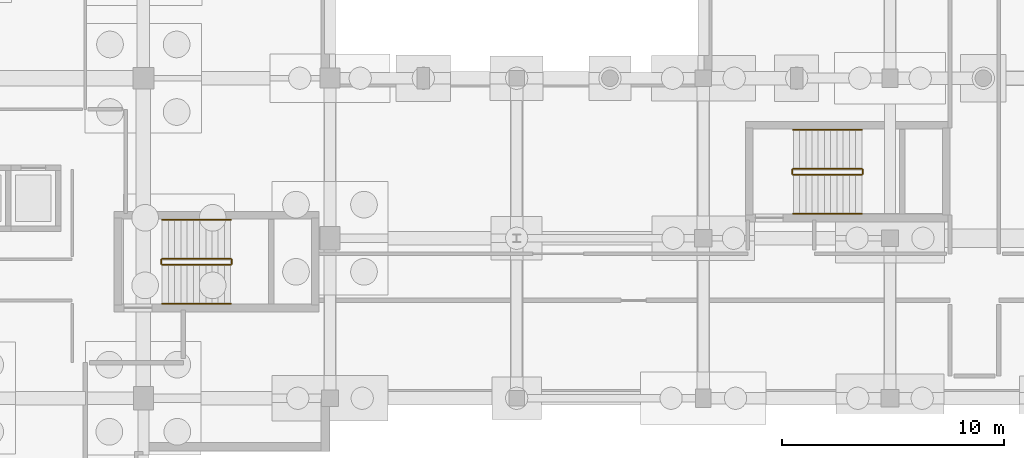
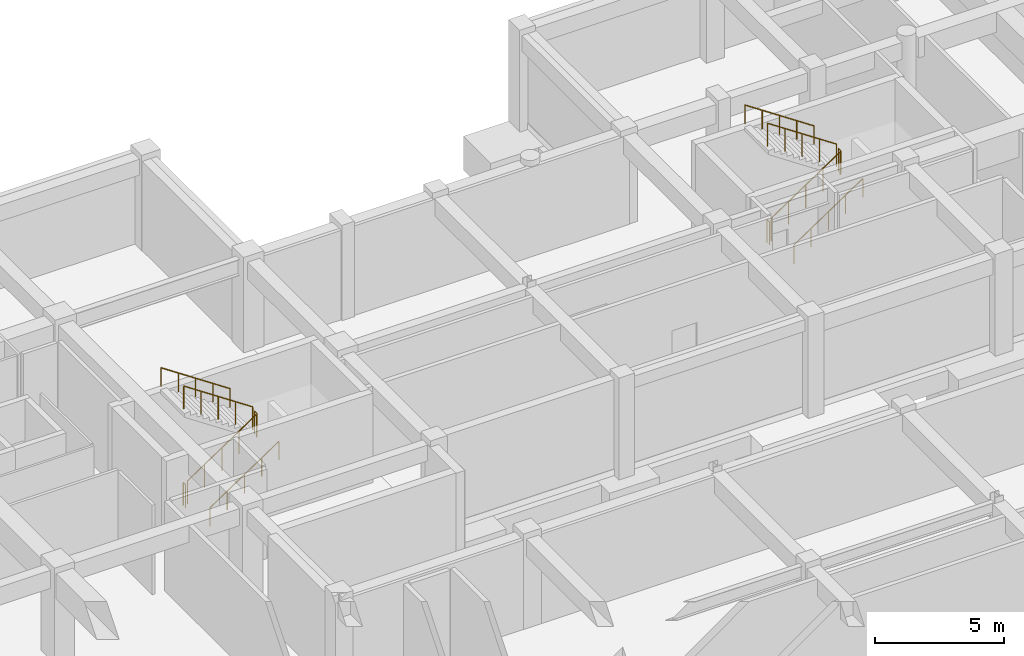
# One storey, part 41 of 42: 12 railings.
"""IFC4 building model written with IfcOpenShell, lengths in metres."""

from ifc_helpers import new_model, si_unit, direction, frame, origin, origin_2d, place, context, subcontext, project, spatial, circle, extrude, material, type_object, element, save


model = new_model("IFC4")

# Units and contexts
model_context = context("Model", 3, precision=1e-05, world=origin(), true_north=direction((0.0, 1.0)))
body_context = subcontext(model_context, "Body", "Model", "MODEL_VIEW")
ifc_project = project(units=[si_unit("LENGTHUNIT", "METRE"), si_unit("AREAUNIT", "SQUARE_METRE"), si_unit("VOLUMEUNIT", "CUBIC_METRE"), si_unit("PLANEANGLEUNIT", "RADIAN"), si_unit("MASSUNIT", "GRAM", prefix="KILO")], contexts=[model_context])

# Site, building, storey
site_placement = place(None, origin())
site = spatial("IfcSite", under=ifc_project, at=site_placement, CompositionType="ELEMENT")
building_placement = place(site_placement, origin())
building = spatial("IfcBuilding", under=site, at=building_placement, Name="Quendrovan Civic Courthouse", CompositionType="ELEMENT")
storey_placement = place(building_placement, frame((0.0, 0.0, -4.5)))
storey = spatial("IfcBuildingStorey", under=building, at=storey_placement, Name="B1", CompositionType="ELEMENT", Elevation=-4.5)

# Railings
ifc_material_1 = material(Name="Painted galvanized steel", Category="steel")
railing_type_1 = type_object("IfcRailingType", Name="RL-STR-GUARD1100", PredefinedType="GUARDRAIL", material=ifc_material_1)
railing_1_placement = place(storey_placement, frame((84.85009765625, 93.60009765625, 0.1875)))
element("IfcRailing", 1, at=railing_1_placement, inside=storey, type_object=railing_type_1, Name="B1 ST3 stair guard 1", PredefinedType="GUARDRAIL", context=body_context, shape_type="SweptSolid", body=[
    extrude(circle(Radius=0.02392578125, at=origin_2d()), frame((0.0, 0.0, 1.076171875), z_axis=(0.830893310487, 0.0, 0.556431762742), x_axis=(0.0, 1.0, 0.0)), (0.0, 0.0, 1.0), 3.70654296875),
    extrude(circle(Radius=0.02099609375, at=origin_2d()), origin(), (0.0, 0.0, 1.0), 1.052001953125),
    extrude(circle(Radius=0.02099609375, at=origin_2d()), frame((0.77001953125, 0.0, 0.515625)), (0.0, 0.0, 1.0), 1.052001953125),
    extrude(circle(Radius=0.02099609375, at=origin_2d()), frame((1.5400390625, 0.0, 1.03125)), (0.0, 0.0, 1.0), 1.052001953125),
    extrude(circle(Radius=0.02099609375, at=origin_2d()), frame((2.309814453125, 0.0, 1.546875)), (0.0, 0.0, 1.0), 1.052001953125),
    extrude(circle(Radius=0.02099609375, at=origin_2d()), frame((3.079833984375, 0.0, 2.0625)), (0.0, 0.0, 1.0), 1.052001953125),
])
railing_2_placement = place(storey_placement, frame((87.97998046875, 93.64990234375, 2.25)))
element("IfcRailing", 2, at=railing_2_placement, inside=storey, type_object=railing_type_1, Name="B1 ST3 stair guard 2", PredefinedType="GUARDRAIL", context=body_context, shape_type="SweptSolid", body=[
    extrude(circle(Radius=0.02392578125, at=origin_2d()), frame((0.0, 0.0, 1.076171875), z_axis=(0.0, 1.0, 0.0), x_axis=(-1.0, 0.0, 0.0)), (0.0, 0.0, 1.0), 0.18017578125),
    extrude(circle(Radius=0.02099609375, at=origin_2d()), origin(), (0.0, 0.0, 1.0), 1.052001953125),
    extrude(circle(Radius=0.02099609375, at=origin_2d()), frame((0.0, 0.18017578125, 0.0)), (0.0, 0.0, 1.0), 1.052001953125),
])
railing_3_placement = place(storey_placement, frame((87.929931640625, 93.8798828125, 2.4375)))
element("IfcRailing", 3, at=railing_3_placement, inside=storey, type_object=railing_type_1, Name="B1 ST3 stair guard 3", PredefinedType="GUARDRAIL", context=body_context, shape_type="SweptSolid", body=[
    extrude(circle(Radius=0.02392578125, at=origin_2d()), frame((0.0, 0.0, 1.076171875), z_axis=(-0.830893310487, 0.0, 0.556431762742), x_axis=(0.0, -1.0, 0.0)), (0.0, 0.0, 1.0), 3.70654296875),
    extrude(circle(Radius=0.02099609375, at=origin_2d()), origin(), (0.0, 0.0, 1.0), 1.052001953125),
    extrude(circle(Radius=0.02099609375, at=origin_2d()), frame((-0.77001953125, 0.0, 0.515625)), (0.0, 0.0, 1.0), 1.052001953125),
    extrude(circle(Radius=0.02099609375, at=origin_2d()), frame((-1.5400390625, 0.0, 1.03125)), (0.0, 0.0, 1.0), 1.052001953125),
    extrude(circle(Radius=0.02099609375, at=origin_2d()), frame((-2.309814453125, 0.0, 1.546875)), (0.0, 0.0, 1.0), 1.052001953125),
    extrude(circle(Radius=0.02099609375, at=origin_2d()), frame((-3.079833984375, 0.0, 2.0625)), (0.0, 0.0, 1.0), 1.052001953125),
])
railing_4_placement = place(storey_placement, frame((84.800048828125, 93.64990234375, 0.0)))
element("IfcRailing", 4, at=railing_4_placement, inside=storey, type_object=railing_type_1, Name="B1 ST3 stair guard 4", PredefinedType="GUARDRAIL", context=body_context, shape_type="SweptSolid", body=[
    extrude(circle(Radius=0.02392578125, at=origin_2d()), frame((0.0, 0.0, 1.076171875), z_axis=(0.0, 1.0, 0.0), x_axis=(-1.0, 0.0, 0.0)), (0.0, 0.0, 1.0), 0.18017578125),
    extrude(circle(Radius=0.02099609375, at=origin_2d()), origin(), (0.0, 0.0, 1.0), 1.052001953125),
    extrude(circle(Radius=0.02099609375, at=origin_2d()), frame((0.0, 0.18017578125, 0.0)), (0.0, 0.0, 1.0), 1.052001953125),
])
railing_5_placement = place(storey_placement, frame((113.25, 97.64990234375, 0.1875)))
element("IfcRailing", 5, at=railing_5_placement, inside=storey, type_object=railing_type_1, Name="B1 ST6 stair guard 1", PredefinedType="GUARDRAIL", context=body_context, shape_type="SweptSolid", body=[
    extrude(circle(Radius=0.02392578125, at=origin_2d()), frame((0.0, 0.0, 1.076171875), z_axis=(0.830913701846, 0.0, 0.55640131208), x_axis=(0.0, 1.0, 0.0)), (0.0, 0.0, 1.0), 3.706787109375),
    extrude(circle(Radius=0.02099609375, at=origin_2d()), origin(), (0.0, 0.0, 1.0), 1.052001953125),
    extrude(circle(Radius=0.02099609375, at=origin_2d()), frame((0.77001953125, 0.0, 0.515625)), (0.0, 0.0, 1.0), 1.052001953125),
    extrude(circle(Radius=0.02099609375, at=origin_2d()), frame((1.5400390625, 0.0, 1.03125)), (0.0, 0.0, 1.0), 1.052001953125),
    extrude(circle(Radius=0.02099609375, at=origin_2d()), frame((2.31005859375, 0.0, 1.546875)), (0.0, 0.0, 1.0), 1.052001953125),
    extrude(circle(Radius=0.02099609375, at=origin_2d()), frame((3.080078125, 0.0, 2.0625)), (0.0, 0.0, 1.0), 1.052001953125),
])
railing_6_placement = place(storey_placement, frame((116.3798828125, 97.699951171875, 2.25)))
element("IfcRailing", 6, at=railing_6_placement, inside=storey, type_object=railing_type_1, Name="B1 ST6 stair guard 2", PredefinedType="GUARDRAIL", context=body_context, shape_type="SweptSolid", body=[
    extrude(circle(Radius=0.02392578125, at=origin_2d()), frame((0.0, 0.0, 1.076171875), z_axis=(0.0, 1.0, 0.0), x_axis=(-1.0, 0.0, 0.0)), (0.0, 0.0, 1.0), 0.179931640625),
    extrude(circle(Radius=0.02099609375, at=origin_2d()), origin(), (0.0, 0.0, 1.0), 1.052001953125),
    extrude(circle(Radius=0.02099609375, at=origin_2d()), frame((0.0, 0.179931640625, 0.0)), (0.0, 0.0, 1.0), 1.052001953125),
])
railing_7_placement = place(storey_placement, frame((116.330078125, 97.929931640625, 2.4375)))
element("IfcRailing", 7, at=railing_7_placement, inside=storey, type_object=railing_type_1, Name="B1 ST6 stair guard 3", PredefinedType="GUARDRAIL", context=body_context, shape_type="SweptSolid", body=[
    extrude(circle(Radius=0.02392578125, at=origin_2d()), frame((0.0, 0.0, 1.076171875), z_axis=(-0.830913701846, 0.0, 0.55640131208), x_axis=(0.0, -1.0, 0.0)), (0.0, 0.0, 1.0), 3.706787109375),
    extrude(circle(Radius=0.02099609375, at=origin_2d()), origin(), (0.0, 0.0, 1.0), 1.052001953125),
    extrude(circle(Radius=0.02099609375, at=origin_2d()), frame((-0.77001953125, 0.0, 0.515625)), (0.0, 0.0, 1.0), 1.052001953125),
    extrude(circle(Radius=0.02099609375, at=origin_2d()), frame((-1.5400390625, 0.0, 1.03125)), (0.0, 0.0, 1.0), 1.052001953125),
    extrude(circle(Radius=0.02099609375, at=origin_2d()), frame((-2.31005859375, 0.0, 1.546875)), (0.0, 0.0, 1.0), 1.052001953125),
    extrude(circle(Radius=0.02099609375, at=origin_2d()), frame((-3.080078125, 0.0, 2.0625)), (0.0, 0.0, 1.0), 1.052001953125),
])
railing_8_placement = place(storey_placement, frame((113.199951171875, 97.699951171875, 0.0)))
element("IfcRailing", 8, at=railing_8_placement, inside=storey, type_object=railing_type_1, Name="B1 ST6 stair guard 4", PredefinedType="GUARDRAIL", context=body_context, shape_type="SweptSolid", body=[
    extrude(circle(Radius=0.02392578125, at=origin_2d()), frame((0.0, 0.0, 1.076171875), z_axis=(0.0, 1.0, 0.0), x_axis=(-1.0, 0.0, 0.0)), (0.0, 0.0, 1.0), 0.179931640625),
    extrude(circle(Radius=0.02099609375, at=origin_2d()), origin(), (0.0, 0.0, 1.0), 1.052001953125),
    extrude(circle(Radius=0.02099609375, at=origin_2d()), frame((0.0, 0.179931640625, 0.0)), (0.0, 0.0, 1.0), 1.052001953125),
])
ifc_material_2 = material(Name="Bronze anodised aluminium", Category="aluminium")
railing_type_2 = type_object("IfcRailingType", Name="RL-STR-HAND900", PredefinedType="HANDRAIL", material=ifc_material_2)
railing_9_placement = place(storey_placement, frame((84.85009765625, 91.85009765625, 0.1875)))
element("IfcRailing", 9, at=railing_9_placement, inside=storey, type_object=railing_type_2, Name="B1 ST3 stair handrail 1", PredefinedType="HANDRAIL", context=body_context, shape_type="SweptSolid", body=[
    extrude(circle(Radius=0.02392578125, at=origin_2d()), frame((0.0, 0.0, 0.8759765625), z_axis=(0.830893310487, 0.0, 0.556431762742), x_axis=(0.0, 1.0, 0.0)), (0.0, 0.0, 1.0), 3.70654296875),
    extrude(circle(Radius=0.02099609375, at=origin_2d()), origin(), (0.0, 0.0, 1.0), 0.851806640625),
    extrude(circle(Radius=0.02099609375, at=origin_2d()), frame((0.77001953125, 0.0, 0.515625)), (0.0, 0.0, 1.0), 0.851806640625),
    extrude(circle(Radius=0.02099609375, at=origin_2d()), frame((1.5400390625, 0.0, 1.03125)), (0.0, 0.0, 1.0), 0.851806640625),
    extrude(circle(Radius=0.02099609375, at=origin_2d()), frame((2.309814453125, 0.0, 1.546875)), (0.0, 0.0, 1.0), 0.851806640625),
    extrude(circle(Radius=0.02099609375, at=origin_2d()), frame((3.079833984375, 0.0, 2.0625)), (0.0, 0.0, 1.0), 0.851806640625),
])
railing_10_placement = place(storey_placement, frame((87.929931640625, 95.6298828125, 2.4375)))
element("IfcRailing", 10, at=railing_10_placement, inside=storey, type_object=railing_type_2, Name="B1 ST3 stair handrail 2", PredefinedType="HANDRAIL", context=body_context, shape_type="SweptSolid", body=[
    extrude(circle(Radius=0.02392578125, at=origin_2d()), frame((0.0, 0.0, 0.8759765625), z_axis=(-0.830893310487, 0.0, 0.556431762742), x_axis=(0.0, -1.0, 0.0)), (0.0, 0.0, 1.0), 3.70654296875),
    extrude(circle(Radius=0.02099609375, at=origin_2d()), origin(), (0.0, 0.0, 1.0), 0.851806640625),
    extrude(circle(Radius=0.02099609375, at=origin_2d()), frame((-0.77001953125, 0.0, 0.515625)), (0.0, 0.0, 1.0), 0.851806640625),
    extrude(circle(Radius=0.02099609375, at=origin_2d()), frame((-1.5400390625, 0.0, 1.03125)), (0.0, 0.0, 1.0), 0.851806640625),
    extrude(circle(Radius=0.02099609375, at=origin_2d()), frame((-2.309814453125, 0.0, 1.546875)), (0.0, 0.0, 1.0), 0.851806640625),
    extrude(circle(Radius=0.02099609375, at=origin_2d()), frame((-3.079833984375, 0.0, 2.0625)), (0.0, 0.0, 1.0), 0.851806640625),
])
railing_11_placement = place(storey_placement, frame((113.25, 95.89990234375, 0.1875)))
element("IfcRailing", 11, at=railing_11_placement, inside=storey, type_object=railing_type_2, Name="B1 ST6 stair handrail 1", PredefinedType="HANDRAIL", context=body_context, shape_type="SweptSolid", body=[
    extrude(circle(Radius=0.02392578125, at=origin_2d()), frame((0.0, 0.0, 0.8759765625), z_axis=(0.830913701846, 0.0, 0.55640131208), x_axis=(0.0, 1.0, 0.0)), (0.0, 0.0, 1.0), 3.706787109375),
    extrude(circle(Radius=0.02099609375, at=origin_2d()), origin(), (0.0, 0.0, 1.0), 0.851806640625),
    extrude(circle(Radius=0.02099609375, at=origin_2d()), frame((0.77001953125, 0.0, 0.515625)), (0.0, 0.0, 1.0), 0.851806640625),
    extrude(circle(Radius=0.02099609375, at=origin_2d()), frame((1.5400390625, 0.0, 1.03125)), (0.0, 0.0, 1.0), 0.851806640625),
    extrude(circle(Radius=0.02099609375, at=origin_2d()), frame((2.31005859375, 0.0, 1.546875)), (0.0, 0.0, 1.0), 0.851806640625),
    extrude(circle(Radius=0.02099609375, at=origin_2d()), frame((3.080078125, 0.0, 2.0625)), (0.0, 0.0, 1.0), 0.851806640625),
])
railing_12_placement = place(storey_placement, frame((116.330078125, 99.679931640625, 2.4375)))
element("IfcRailing", 12, at=railing_12_placement, inside=storey, type_object=railing_type_2, Name="B1 ST6 stair handrail 2", PredefinedType="HANDRAIL", context=body_context, shape_type="SweptSolid", body=[
    extrude(circle(Radius=0.02392578125, at=origin_2d()), frame((0.0, 0.0, 0.8759765625), z_axis=(-0.830913701846, 0.0, 0.55640131208), x_axis=(0.0, -1.0, 0.0)), (0.0, 0.0, 1.0), 3.706787109375),
    extrude(circle(Radius=0.02099609375, at=origin_2d()), origin(), (0.0, 0.0, 1.0), 0.851806640625),
    extrude(circle(Radius=0.02099609375, at=origin_2d()), frame((-0.77001953125, 0.0, 0.515625)), (0.0, 0.0, 1.0), 0.851806640625),
    extrude(circle(Radius=0.02099609375, at=origin_2d()), frame((-1.5400390625, 0.0, 1.03125)), (0.0, 0.0, 1.0), 0.851806640625),
    extrude(circle(Radius=0.02099609375, at=origin_2d()), frame((-2.31005859375, 0.0, 1.546875)), (0.0, 0.0, 1.0), 0.851806640625),
    extrude(circle(Radius=0.02099609375, at=origin_2d()), frame((-3.080078125, 0.0, 2.0625)), (0.0, 0.0, 1.0), 0.851806640625),
])

save(model, "model.ifc")
